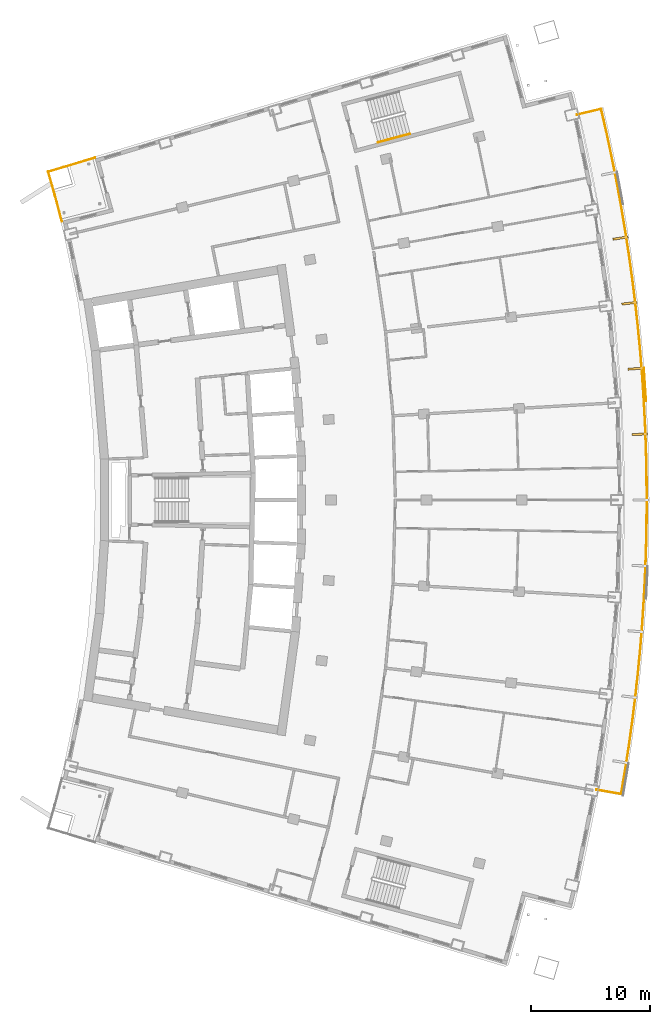
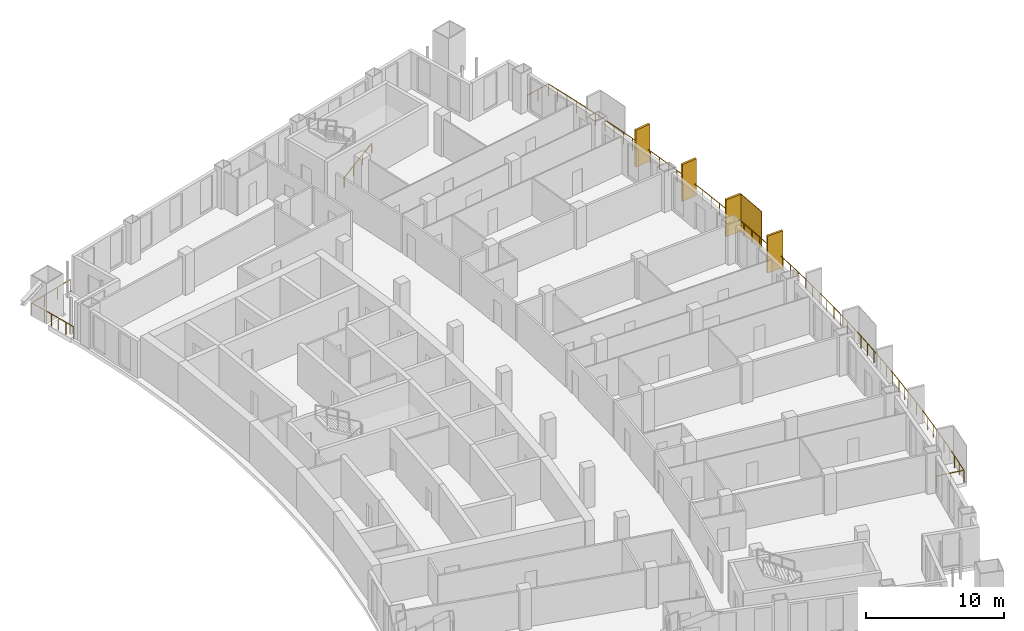
# One storey, part 19 of 20: 5 shading devices, 3 railings.
"""IFC4 building model written with IfcOpenShell, lengths in metres."""

from ifc_helpers import new_model, si_unit, direction, frame, origin, origin_2d, place, context, subcontext, project, spatial, rectangle, extrude, material, layer, layer_set, type_object, element, save


model = new_model("IFC4")

# Units and contexts
model_context = context("Model", 3, precision=1e-05, world=origin(), true_north=direction((0.0, 1.0)))
body_context = subcontext(model_context, "Body", "Model", "MODEL_VIEW")
ifc_project = project(units=[si_unit("LENGTHUNIT", "METRE"), si_unit("AREAUNIT", "SQUARE_METRE"), si_unit("VOLUMEUNIT", "CUBIC_METRE"), si_unit("PLANEANGLEUNIT", "RADIAN"), si_unit("MASSUNIT", "GRAM", prefix="KILO")], contexts=[model_context])

# Site, building, storey
site_placement = place(None, origin())
site = spatial("IfcSite", under=ifc_project, at=site_placement, CompositionType="ELEMENT")
building_placement = place(site_placement, origin())
building = spatial("IfcBuilding", under=site, at=building_placement, Name="Alderwake Tower", CompositionType="ELEMENT")
storey_placement = place(building_placement, frame((0.0, 0.0, 153.199951171875)))
storey = spatial("IfcBuildingStorey", under=building, at=storey_placement, Name="L37", CompositionType="ELEMENT", Elevation=153.199951171875)

# Railings
ifc_material_1 = material(Name="Stainless steel 316 rail and posts", Category="steel")
railing_type_1 = type_object("IfcRailingType", Name="Balcony guard 1100", PredefinedType="GUARDRAIL", material=ifc_material_1)
railing_1_placement = place(storey_placement, frame((58.07568359375, 36.68701171875, 0.0)))
element("IfcRailing", 1, at=railing_1_placement, inside=storey, type_object=railing_type_1, Name="Guard BF04", PredefinedType="GUARDRAIL", context=body_context, shape_type="SweptSolid", body=[
    extrude(rectangle(XDim=0.048095703125, YDim=0.048095703125, at=origin_2d()), frame((0.0, 0.0, 1.076171875), z_axis=(0.984864202872, -0.173327729755, 0.0), x_axis=(0.173327729755, 0.984864202872, 0.0)), (0.0, 0.0, 1.0), 2.10009765625),
    extrude(rectangle(XDim=0.048095703125, YDim=0.048095703125, at=origin_2d()), frame((2.068359375, -0.364013671875, 1.076171875), z_axis=(0.166503332241, 0.986040891826, 0.0), x_axis=(-0.986040891826, 0.166503332241, 0.0)), (0.0, 0.0, 1.0), 1.97509765625),
    extrude(rectangle(XDim=0.048095703125, YDim=0.048095703125, at=origin_2d()), frame((2.397216796875, 1.58349609375, 1.076171875), z_axis=(0.152596463053, 0.988288581065, 0.0), x_axis=(-0.988288581065, 0.152596463053, 0.0)), (0.0, 0.0, 1.0), 2.0751953125),
    extrude(rectangle(XDim=0.048095703125, YDim=0.048095703125, at=origin_2d()), frame((2.7138671875, 3.63427734375, 1.076171875), z_axis=(0.138110156817, 0.990416874141, 0.0), x_axis=(-0.990416874141, 0.138110156817, 0.0)), (0.0, 0.0, 1.0), 2.0751953125),
    extrude(rectangle(XDim=0.048095703125, YDim=0.048095703125, at=origin_2d()), frame((3.00048828125, 5.689697265625, 1.076171875), z_axis=(0.123643785087, 0.992326667186, 0.0), x_axis=(-0.992326667186, 0.123643785087, 0.0)), (0.0, 0.0, 1.0), 2.0751953125),
    extrude(rectangle(XDim=0.048095703125, YDim=0.048095703125, at=origin_2d()), frame((3.257080078125, 7.7490234375, 1.076171875), z_axis=(0.109062650224, 0.994034877822, 0.0), x_axis=(-0.994034877822, 0.109062650224, 0.0)), (0.0, 0.0, 1.0), 2.0751953125),
    extrude(rectangle(XDim=0.048095703125, YDim=0.048095703125, at=origin_2d()), frame((3.4833984375, 9.811767578125, 1.076171875), z_axis=(0.094703608838, 0.99550551303, 0.0), x_axis=(-0.99550551303, 0.094703608838, 0.0)), (0.0, 0.0, 1.0), 2.0751953125),
    extrude(rectangle(XDim=0.048095703125, YDim=0.048095703125, at=origin_2d()), frame((3.679931640625, 11.877685546875, 1.076171875), z_axis=(0.080114603316, 0.996785659174, 0.0), x_axis=(-0.996785659174, 0.080114603316, 0.0)), (0.0, 0.0, 1.0), 2.0751953125),
    extrude(rectangle(XDim=0.048095703125, YDim=0.048095703125, at=origin_2d()), frame((3.84619140625, 13.9462890625, 1.076171875), z_axis=(0.065652181711, 0.997842568262, 0.0), x_axis=(-0.997842568262, 0.065652181711, 0.0)), (0.0, 0.0, 1.0), 2.074951171875),
    extrude(rectangle(XDim=0.048095703125, YDim=0.048095703125, at=origin_2d()), frame((3.982421875, 16.016845703125, 1.076171875), z_axis=(0.050940961426, 0.998701666389, 0.0), x_axis=(-0.998701666389, 0.050940961426, 0.0)), (0.0, 0.0, 1.0), 2.0751953125),
    extrude(rectangle(XDim=0.048095703125, YDim=0.048095703125, at=origin_2d()), frame((4.088134765625, 18.08935546875, 1.076171875), z_axis=(0.03647206835, 0.999334672785, 0.0), x_axis=(-0.999334672785, 0.03647206835, 0.0)), (0.0, 0.0, 1.0), 2.0751953125),
    extrude(rectangle(XDim=0.048095703125, YDim=0.048095703125, at=origin_2d()), frame((4.163818359375, 20.1630859375, 1.076171875), z_axis=(0.021882262081, 0.999760554636, 0.0), x_axis=(-0.999760554636, 0.021882262081, 0.0)), (0.0, 0.0, 1.0), 2.0751953125),
    extrude(rectangle(XDim=0.048095703125, YDim=0.048095703125, at=origin_2d()), frame((4.209228515625, 22.23779296875, 1.076171875), z_axis=(0.007293923616, 0.999973398985, 0.0), x_axis=(-0.999973398985, 0.007293923616, 0.0)), (0.0, 0.0, 1.0), 2.0751953125),
    extrude(rectangle(XDim=0.048095703125, YDim=0.048095703125, at=origin_2d()), frame((4.224365234375, 24.31298828125, 1.076171875), z_axis=(-0.007293923616, 0.999973398985, 0.0), x_axis=(-0.999973398985, -0.007293923616, 0.0)), (0.0, 0.0, 1.0), 2.0751953125),
    extrude(rectangle(XDim=0.048095703125, YDim=0.048095703125, at=origin_2d()), frame((4.209228515625, 26.38818359375, 1.076171875), z_axis=(-0.021882262081, 0.999760554636, 0.0), x_axis=(-0.999760554636, -0.021882262081, 0.0)), (0.0, 0.0, 1.0), 2.0751953125),
    extrude(rectangle(XDim=0.048095703125, YDim=0.048095703125, at=origin_2d()), frame((4.163818359375, 28.462890625, 1.076171875), z_axis=(-0.03647206835, 0.999334672785, 0.0), x_axis=(-0.999334672785, -0.03647206835, 0.0)), (0.0, 0.0, 1.0), 2.0751953125),
    extrude(rectangle(XDim=0.048095703125, YDim=0.048095703125, at=origin_2d()), frame((4.088134765625, 30.53662109375, 1.076171875), z_axis=(-0.050940961426, 0.998701666389, 0.0), x_axis=(-0.998701666389, -0.050940961426, 0.0)), (0.0, 0.0, 1.0), 2.0751953125),
    extrude(rectangle(XDim=0.048095703125, YDim=0.048095703125, at=origin_2d()), frame((3.982421875, 32.609130859375, 1.076171875), z_axis=(-0.065652181711, 0.997842568262, 0.0), x_axis=(-0.997842568262, -0.065652181711, 0.0)), (0.0, 0.0, 1.0), 2.074951171875),
    extrude(rectangle(XDim=0.048095703125, YDim=0.048095703125, at=origin_2d()), frame((3.84619140625, 34.6796875, 1.076171875), z_axis=(-0.080114603316, 0.996785659174, 0.0), x_axis=(-0.996785659174, -0.080114603316, 0.0)), (0.0, 0.0, 1.0), 2.0751953125),
    extrude(rectangle(XDim=0.048095703125, YDim=0.048095703125, at=origin_2d()), frame((3.679931640625, 36.748291015625, 1.076171875), z_axis=(-0.094703608838, 0.99550551303, 0.0), x_axis=(-0.99550551303, -0.094703608838, 0.0)), (0.0, 0.0, 1.0), 2.0751953125),
    extrude(rectangle(XDim=0.048095703125, YDim=0.048095703125, at=origin_2d()), frame((3.4833984375, 38.814208984375, 1.076171875), z_axis=(-0.109062650224, 0.994034877822, 0.0), x_axis=(-0.994034877822, -0.109062650224, 0.0)), (0.0, 0.0, 1.0), 2.0751953125),
    extrude(rectangle(XDim=0.048095703125, YDim=0.048095703125, at=origin_2d()), frame((3.257080078125, 40.876953125, 1.076171875), z_axis=(-0.123643785087, 0.992326667186, 0.0), x_axis=(-0.992326667186, -0.123643785087, 0.0)), (0.0, 0.0, 1.0), 2.0751953125),
    extrude(rectangle(XDim=0.048095703125, YDim=0.048095703125, at=origin_2d()), frame((3.00048828125, 42.936279296875, 1.076171875), z_axis=(-0.138110156817, 0.990416874141, 0.0), x_axis=(-0.990416874141, -0.138110156817, 0.0)), (0.0, 0.0, 1.0), 2.0751953125),
    extrude(rectangle(XDim=0.048095703125, YDim=0.048095703125, at=origin_2d()), frame((2.7138671875, 44.99169921875, 1.076171875), z_axis=(-0.152596463053, 0.988288581065, 0.0), x_axis=(-0.988288581065, -0.152596463053, 0.0)), (0.0, 0.0, 1.0), 2.0751953125),
    extrude(rectangle(XDim=0.048095703125, YDim=0.048095703125, at=origin_2d()), frame((2.397216796875, 47.04248046875, 1.076171875), z_axis=(-0.166821353244, 0.985987137899, 0.0), x_axis=(-0.985987137899, -0.166821353244, 0.0)), (0.0, 0.0, 1.0), 2.0751953125),
    extrude(rectangle(XDim=0.048095703125, YDim=0.048095703125, at=origin_2d()), frame((2.051025390625, 49.088623046875, 1.076171875), z_axis=(-0.181297176514, 0.983428357222, 0.0), x_axis=(-0.983428357222, -0.181297176514, 0.0)), (0.0, 0.0, 1.0), 2.0751953125),
    extrude(rectangle(XDim=0.048095703125, YDim=0.048095703125, at=origin_2d()), frame((1.6748046875, 51.12939453125, 1.076171875), z_axis=(-0.195641013677, 0.980675580285, 0.0), x_axis=(-0.980675580285, -0.195641013677, 0.0)), (0.0, 0.0, 1.0), 2.0751953125),
    extrude(rectangle(XDim=0.048095703125, YDim=0.048095703125, at=origin_2d()), frame((1.268798828125, 53.16455078125, 1.076171875), z_axis=(-0.20987454343, 0.97772832424, 0.0), x_axis=(-0.97772832424, -0.20987454343, 0.0)), (0.0, 0.0, 1.0), 2.0751953125),
    extrude(rectangle(XDim=0.048095703125, YDim=0.048095703125, at=origin_2d()), frame((0.833251953125, 55.193603515625, 1.076171875), z_axis=(-0.22384832601, 0.974623992595, 0.0), x_axis=(-0.974623992595, -0.22384832601, 0.0)), (0.0, 0.0, 1.0), 1.97509765625),
    extrude(rectangle(XDim=0.048095703125, YDim=0.048095703125, at=origin_2d()), frame((0.39111328125, 57.11865234375, 1.076171875), z_axis=(-0.97303154832, -0.230672074545, 0.0), x_axis=(0.230672074545, -0.97303154832, 0.0)), (0.0, 0.0, 1.0), 2.099853515625),
    extrude(rectangle(XDim=0.0419921875, YDim=0.0419921875, at=origin_2d()), frame((0.0, 0.0, 0.0), z_axis=(0.0, 0.0, 1.0), x_axis=(0.984864202872, -0.173327729755, 0.0)), (0.0, 0.0, 1.0), 1.052001953125),
    extrude(rectangle(XDim=0.0419921875, YDim=0.0419921875, at=origin_2d()), frame((1.0341796875, -0.18212890625, 0.0), z_axis=(0.0, 0.0, 1.0), x_axis=(0.984864202872, -0.173327729755, 0.0)), (0.0, 0.0, 1.0), 1.052001953125),
    extrude(rectangle(XDim=0.0419921875, YDim=0.0419921875, at=origin_2d()), frame((2.068359375, -0.364013671875, 0.0), z_axis=(0.0, 0.0, 1.0), x_axis=(0.166503332241, 0.986040891826, 0.0)), (0.0, 0.0, 1.0), 1.052001953125),
    extrude(rectangle(XDim=0.0419921875, YDim=0.0419921875, at=origin_2d()), frame((2.23291015625, 0.60986328125, 0.0), z_axis=(0.0, 0.0, 1.0), x_axis=(0.166503332241, 0.986040891826, 0.0)), (0.0, 0.0, 1.0), 1.052001953125),
    extrude(rectangle(XDim=0.0419921875, YDim=0.0419921875, at=origin_2d()), frame((2.397216796875, 1.58349609375, 0.0), z_axis=(0.0, 0.0, 1.0), x_axis=(0.152596463053, 0.988288581065, 0.0)), (0.0, 0.0, 1.0), 1.052001953125),
    extrude(rectangle(XDim=0.0419921875, YDim=0.0419921875, at=origin_2d()), frame((2.5556640625, 2.60888671875, 0.0), z_axis=(0.0, 0.0, 1.0), x_axis=(0.152596463053, 0.988288581065, 0.0)), (0.0, 0.0, 1.0), 1.052001953125),
    extrude(rectangle(XDim=0.0419921875, YDim=0.0419921875, at=origin_2d()), frame((2.7138671875, 3.63427734375, 0.0), z_axis=(0.0, 0.0, 1.0), x_axis=(0.138110156817, 0.990416874141, 0.0)), (0.0, 0.0, 1.0), 1.052001953125),
    extrude(rectangle(XDim=0.0419921875, YDim=0.0419921875, at=origin_2d()), frame((2.857177734375, 4.662109375, 0.0), z_axis=(0.0, 0.0, 1.0), x_axis=(0.138110156817, 0.990416874141, 0.0)), (0.0, 0.0, 1.0), 1.052001953125),
    extrude(rectangle(XDim=0.0419921875, YDim=0.0419921875, at=origin_2d()), frame((3.00048828125, 5.689697265625, 0.0), z_axis=(0.0, 0.0, 1.0), x_axis=(0.123643785087, 0.992326667186, 0.0)), (0.0, 0.0, 1.0), 1.052001953125),
    extrude(rectangle(XDim=0.0419921875, YDim=0.0419921875, at=origin_2d()), frame((3.12890625, 6.71923828125, 0.0), z_axis=(0.0, 0.0, 1.0), x_axis=(0.123643785087, 0.992326667186, 0.0)), (0.0, 0.0, 1.0), 1.052001953125),
    extrude(rectangle(XDim=0.0419921875, YDim=0.0419921875, at=origin_2d()), frame((3.257080078125, 7.7490234375, 0.0), z_axis=(0.0, 0.0, 1.0), x_axis=(0.109062650224, 0.994034877822, 0.0)), (0.0, 0.0, 1.0), 1.052001953125),
    extrude(rectangle(XDim=0.0419921875, YDim=0.0419921875, at=origin_2d()), frame((3.3701171875, 8.7802734375, 0.0), z_axis=(0.0, 0.0, 1.0), x_axis=(0.109062650224, 0.994034877822, 0.0)), (0.0, 0.0, 1.0), 1.052001953125),
    extrude(rectangle(XDim=0.0419921875, YDim=0.0419921875, at=origin_2d()), frame((3.4833984375, 9.811767578125, 0.0), z_axis=(0.0, 0.0, 1.0), x_axis=(0.094703608838, 0.99550551303, 0.0)), (0.0, 0.0, 1.0), 1.052001953125),
    extrude(rectangle(XDim=0.0419921875, YDim=0.0419921875, at=origin_2d()), frame((3.58154296875, 10.8447265625, 0.0), z_axis=(0.0, 0.0, 1.0), x_axis=(0.094703608838, 0.99550551303, 0.0)), (0.0, 0.0, 1.0), 1.052001953125),
    extrude(rectangle(XDim=0.0419921875, YDim=0.0419921875, at=origin_2d()), frame((3.679931640625, 11.877685546875, 0.0), z_axis=(0.0, 0.0, 1.0), x_axis=(0.080114603316, 0.996785659174, 0.0)), (0.0, 0.0, 1.0), 1.052001953125),
    extrude(rectangle(XDim=0.0419921875, YDim=0.0419921875, at=origin_2d()), frame((3.76318359375, 12.912109375, 0.0), z_axis=(0.0, 0.0, 1.0), x_axis=(0.080114603316, 0.996785659174, 0.0)), (0.0, 0.0, 1.0), 1.052001953125),
    extrude(rectangle(XDim=0.0419921875, YDim=0.0419921875, at=origin_2d()), frame((3.84619140625, 13.9462890625, 0.0), z_axis=(0.0, 0.0, 1.0), x_axis=(0.065652181711, 0.997842568262, 0.0)), (0.0, 0.0, 1.0), 1.052001953125),
    extrude(rectangle(XDim=0.0419921875, YDim=0.0419921875, at=origin_2d()), frame((3.914306640625, 14.9814453125, 0.0), z_axis=(0.0, 0.0, 1.0), x_axis=(0.065652181711, 0.997842568262, 0.0)), (0.0, 0.0, 1.0), 1.052001953125),
    extrude(rectangle(XDim=0.0419921875, YDim=0.0419921875, at=origin_2d()), frame((3.982421875, 16.016845703125, 0.0), z_axis=(0.0, 0.0, 1.0), x_axis=(0.050940961426, 0.998701666389, 0.0)), (0.0, 0.0, 1.0), 1.052001953125),
    extrude(rectangle(XDim=0.0419921875, YDim=0.0419921875, at=origin_2d()), frame((4.03515625, 17.05322265625, 0.0), z_axis=(0.0, 0.0, 1.0), x_axis=(0.050940961426, 0.998701666389, 0.0)), (0.0, 0.0, 1.0), 1.052001953125),
    extrude(rectangle(XDim=0.0419921875, YDim=0.0419921875, at=origin_2d()), frame((4.088134765625, 18.08935546875, 0.0), z_axis=(0.0, 0.0, 1.0), x_axis=(0.03647206835, 0.999334672785, 0.0)), (0.0, 0.0, 1.0), 1.052001953125),
    extrude(rectangle(XDim=0.0419921875, YDim=0.0419921875, at=origin_2d()), frame((4.1259765625, 19.126220703125, 0.0), z_axis=(0.0, 0.0, 1.0), x_axis=(0.03647206835, 0.999334672785, 0.0)), (0.0, 0.0, 1.0), 1.052001953125),
    extrude(rectangle(XDim=0.0419921875, YDim=0.0419921875, at=origin_2d()), frame((4.163818359375, 20.1630859375, 0.0), z_axis=(0.0, 0.0, 1.0), x_axis=(0.021882262081, 0.999760554636, 0.0)), (0.0, 0.0, 1.0), 1.052001953125),
    extrude(rectangle(XDim=0.0419921875, YDim=0.0419921875, at=origin_2d()), frame((4.1865234375, 21.200439453125, 0.0), z_axis=(0.0, 0.0, 1.0), x_axis=(0.021882262081, 0.999760554636, 0.0)), (0.0, 0.0, 1.0), 1.052001953125),
    extrude(rectangle(XDim=0.0419921875, YDim=0.0419921875, at=origin_2d()), frame((4.209228515625, 22.23779296875, 0.0), z_axis=(0.0, 0.0, 1.0), x_axis=(0.007293923616, 0.999973398985, 0.0)), (0.0, 0.0, 1.0), 1.052001953125),
    extrude(rectangle(XDim=0.0419921875, YDim=0.0419921875, at=origin_2d()), frame((4.216796875, 23.275390625, 0.0), z_axis=(0.0, 0.0, 1.0), x_axis=(0.007293923616, 0.999973398985, 0.0)), (0.0, 0.0, 1.0), 1.052001953125),
    extrude(rectangle(XDim=0.0419921875, YDim=0.0419921875, at=origin_2d()), frame((4.224365234375, 24.31298828125, 0.0), z_axis=(0.0, 0.0, 1.0), x_axis=(-0.007293923616, 0.999973398985, 0.0)), (0.0, 0.0, 1.0), 1.052001953125),
    extrude(rectangle(XDim=0.0419921875, YDim=0.0419921875, at=origin_2d()), frame((4.216796875, 25.3505859375, 0.0), z_axis=(0.0, 0.0, 1.0), x_axis=(-0.007293923616, 0.999973398985, 0.0)), (0.0, 0.0, 1.0), 1.052001953125),
    extrude(rectangle(XDim=0.0419921875, YDim=0.0419921875, at=origin_2d()), frame((4.209228515625, 26.38818359375, 0.0), z_axis=(0.0, 0.0, 1.0), x_axis=(-0.021882262081, 0.999760554636, 0.0)), (0.0, 0.0, 1.0), 1.052001953125),
    extrude(rectangle(XDim=0.0419921875, YDim=0.0419921875, at=origin_2d()), frame((4.1865234375, 27.425537109375, 0.0), z_axis=(0.0, 0.0, 1.0), x_axis=(-0.021882262081, 0.999760554636, 0.0)), (0.0, 0.0, 1.0), 1.052001953125),
    extrude(rectangle(XDim=0.0419921875, YDim=0.0419921875, at=origin_2d()), frame((4.163818359375, 28.462890625, 0.0), z_axis=(0.0, 0.0, 1.0), x_axis=(-0.03647206835, 0.999334672785, 0.0)), (0.0, 0.0, 1.0), 1.052001953125),
    extrude(rectangle(XDim=0.0419921875, YDim=0.0419921875, at=origin_2d()), frame((4.1259765625, 29.499755859375, 0.0), z_axis=(0.0, 0.0, 1.0), x_axis=(-0.03647206835, 0.999334672785, 0.0)), (0.0, 0.0, 1.0), 1.052001953125),
    extrude(rectangle(XDim=0.0419921875, YDim=0.0419921875, at=origin_2d()), frame((4.088134765625, 30.53662109375, 0.0), z_axis=(0.0, 0.0, 1.0), x_axis=(-0.050940961426, 0.998701666389, 0.0)), (0.0, 0.0, 1.0), 1.052001953125),
    extrude(rectangle(XDim=0.0419921875, YDim=0.0419921875, at=origin_2d()), frame((4.03515625, 31.57275390625, 0.0), z_axis=(0.0, 0.0, 1.0), x_axis=(-0.050940961426, 0.998701666389, 0.0)), (0.0, 0.0, 1.0), 1.052001953125),
    extrude(rectangle(XDim=0.0419921875, YDim=0.0419921875, at=origin_2d()), frame((3.982421875, 32.609130859375, 0.0), z_axis=(0.0, 0.0, 1.0), x_axis=(-0.065652181711, 0.997842568262, 0.0)), (0.0, 0.0, 1.0), 1.052001953125),
    extrude(rectangle(XDim=0.0419921875, YDim=0.0419921875, at=origin_2d()), frame((3.914306640625, 33.64453125, 0.0), z_axis=(0.0, 0.0, 1.0), x_axis=(-0.065652181711, 0.997842568262, 0.0)), (0.0, 0.0, 1.0), 1.052001953125),
    extrude(rectangle(XDim=0.0419921875, YDim=0.0419921875, at=origin_2d()), frame((3.84619140625, 34.6796875, 0.0), z_axis=(0.0, 0.0, 1.0), x_axis=(-0.080114603316, 0.996785659174, 0.0)), (0.0, 0.0, 1.0), 1.052001953125),
    extrude(rectangle(XDim=0.0419921875, YDim=0.0419921875, at=origin_2d()), frame((3.76318359375, 35.7138671875, 0.0), z_axis=(0.0, 0.0, 1.0), x_axis=(-0.080114603316, 0.996785659174, 0.0)), (0.0, 0.0, 1.0), 1.052001953125),
    extrude(rectangle(XDim=0.0419921875, YDim=0.0419921875, at=origin_2d()), frame((3.679931640625, 36.748291015625, 0.0), z_axis=(0.0, 0.0, 1.0), x_axis=(-0.094703608838, 0.99550551303, 0.0)), (0.0, 0.0, 1.0), 1.052001953125),
    extrude(rectangle(XDim=0.0419921875, YDim=0.0419921875, at=origin_2d()), frame((3.58154296875, 37.78125, 0.0), z_axis=(0.0, 0.0, 1.0), x_axis=(-0.094703608838, 0.99550551303, 0.0)), (0.0, 0.0, 1.0), 1.052001953125),
    extrude(rectangle(XDim=0.0419921875, YDim=0.0419921875, at=origin_2d()), frame((3.4833984375, 38.814208984375, 0.0), z_axis=(0.0, 0.0, 1.0), x_axis=(-0.109062650224, 0.994034877822, 0.0)), (0.0, 0.0, 1.0), 1.052001953125),
    extrude(rectangle(XDim=0.0419921875, YDim=0.0419921875, at=origin_2d()), frame((3.3701171875, 39.845703125, 0.0), z_axis=(0.0, 0.0, 1.0), x_axis=(-0.109062650224, 0.994034877822, 0.0)), (0.0, 0.0, 1.0), 1.052001953125),
    extrude(rectangle(XDim=0.0419921875, YDim=0.0419921875, at=origin_2d()), frame((3.257080078125, 40.876953125, 0.0), z_axis=(0.0, 0.0, 1.0), x_axis=(-0.123643785087, 0.992326667186, 0.0)), (0.0, 0.0, 1.0), 1.052001953125),
    extrude(rectangle(XDim=0.0419921875, YDim=0.0419921875, at=origin_2d()), frame((3.12890625, 41.90673828125, 0.0), z_axis=(0.0, 0.0, 1.0), x_axis=(-0.123643785087, 0.992326667186, 0.0)), (0.0, 0.0, 1.0), 1.052001953125),
    extrude(rectangle(XDim=0.0419921875, YDim=0.0419921875, at=origin_2d()), frame((3.00048828125, 42.936279296875, 0.0), z_axis=(0.0, 0.0, 1.0), x_axis=(-0.138110156817, 0.990416874141, 0.0)), (0.0, 0.0, 1.0), 1.052001953125),
    extrude(rectangle(XDim=0.0419921875, YDim=0.0419921875, at=origin_2d()), frame((2.857177734375, 43.9638671875, 0.0), z_axis=(0.0, 0.0, 1.0), x_axis=(-0.138110156817, 0.990416874141, 0.0)), (0.0, 0.0, 1.0), 1.052001953125),
    extrude(rectangle(XDim=0.0419921875, YDim=0.0419921875, at=origin_2d()), frame((2.7138671875, 44.99169921875, 0.0), z_axis=(0.0, 0.0, 1.0), x_axis=(-0.152596463053, 0.988288581065, 0.0)), (0.0, 0.0, 1.0), 1.052001953125),
    extrude(rectangle(XDim=0.0419921875, YDim=0.0419921875, at=origin_2d()), frame((2.5556640625, 46.01708984375, 0.0), z_axis=(0.0, 0.0, 1.0), x_axis=(-0.152596463053, 0.988288581065, 0.0)), (0.0, 0.0, 1.0), 1.052001953125),
    extrude(rectangle(XDim=0.0419921875, YDim=0.0419921875, at=origin_2d()), frame((2.397216796875, 47.04248046875, 0.0), z_axis=(0.0, 0.0, 1.0), x_axis=(-0.166821353244, 0.985987137899, 0.0)), (0.0, 0.0, 1.0), 1.052001953125),
    extrude(rectangle(XDim=0.0419921875, YDim=0.0419921875, at=origin_2d()), frame((2.22412109375, 48.0654296875, 0.0), z_axis=(0.0, 0.0, 1.0), x_axis=(-0.166821353244, 0.985987137899, 0.0)), (0.0, 0.0, 1.0), 1.052001953125),
    extrude(rectangle(XDim=0.0419921875, YDim=0.0419921875, at=origin_2d()), frame((2.051025390625, 49.088623046875, 0.0), z_axis=(0.0, 0.0, 1.0), x_axis=(-0.181297176514, 0.983428357222, 0.0)), (0.0, 0.0, 1.0), 1.052001953125),
    extrude(rectangle(XDim=0.0419921875, YDim=0.0419921875, at=origin_2d()), frame((1.86279296875, 50.10888671875, 0.0), z_axis=(0.0, 0.0, 1.0), x_axis=(-0.181297176514, 0.983428357222, 0.0)), (0.0, 0.0, 1.0), 1.052001953125),
    extrude(rectangle(XDim=0.0419921875, YDim=0.0419921875, at=origin_2d()), frame((1.6748046875, 51.12939453125, 0.0), z_axis=(0.0, 0.0, 1.0), x_axis=(-0.195641013677, 0.980675580285, 0.0)), (0.0, 0.0, 1.0), 1.052001953125),
    extrude(rectangle(XDim=0.0419921875, YDim=0.0419921875, at=origin_2d()), frame((1.4716796875, 52.14697265625, 0.0), z_axis=(0.0, 0.0, 1.0), x_axis=(-0.195641013677, 0.980675580285, 0.0)), (0.0, 0.0, 1.0), 1.052001953125),
    extrude(rectangle(XDim=0.0419921875, YDim=0.0419921875, at=origin_2d()), frame((1.268798828125, 53.16455078125, 0.0), z_axis=(0.0, 0.0, 1.0), x_axis=(-0.20987454343, 0.97772832424, 0.0)), (0.0, 0.0, 1.0), 1.052001953125),
    extrude(rectangle(XDim=0.0419921875, YDim=0.0419921875, at=origin_2d()), frame((1.051025390625, 54.17919921875, 0.0), z_axis=(0.0, 0.0, 1.0), x_axis=(-0.20987454343, 0.97772832424, 0.0)), (0.0, 0.0, 1.0), 1.052001953125),
    extrude(rectangle(XDim=0.0419921875, YDim=0.0419921875, at=origin_2d()), frame((0.833251953125, 55.193603515625, 0.0), z_axis=(0.0, 0.0, 1.0), x_axis=(-0.22384832601, 0.974623992595, 0.0)), (0.0, 0.0, 1.0), 1.052001953125),
    extrude(rectangle(XDim=0.0419921875, YDim=0.0419921875, at=origin_2d()), frame((0.6123046875, 56.15625, 0.0), z_axis=(0.0, 0.0, 1.0), x_axis=(-0.22384832601, 0.974623992595, 0.0)), (0.0, 0.0, 1.0), 1.052001953125),
    extrude(rectangle(XDim=0.0419921875, YDim=0.0419921875, at=origin_2d()), frame((0.39111328125, 57.11865234375, 0.0), z_axis=(0.0, 0.0, 1.0), x_axis=(-0.97303154832, -0.230672074545, 0.0)), (0.0, 0.0, 1.0), 1.052001953125),
    extrude(rectangle(XDim=0.0419921875, YDim=0.0419921875, at=origin_2d()), frame((-0.63037109375, 56.87646484375, 0.0), z_axis=(0.0, 0.0, 1.0), x_axis=(-0.97303154832, -0.230672074545, 0.0)), (0.0, 0.0, 1.0), 1.052001953125),
    extrude(rectangle(XDim=0.0419921875, YDim=0.0419921875, at=origin_2d()), frame((-1.652099609375, 56.63427734375, 0.0), z_axis=(0.0, 0.0, 1.0), x_axis=(-0.97303154832, -0.230672074545, 0.0)), (0.0, 0.0, 1.0), 1.052001953125),
])
railing_2_placement = place(storey_placement, frame((13.210693359375, 84.387451171875, 0.0)))
element("IfcRailing", 2, at=railing_2_placement, inside=storey, type_object=railing_type_1, Name="Guard terrace RN", PredefinedType="GUARDRAIL", context=body_context, shape_type="SweptSolid", body=[
    extrude(rectangle(XDim=0.048095703125, YDim=0.048095703125, at=origin_2d()), frame((0.0, 0.0, 1.076171875), z_axis=(-0.251385381433, 0.967887075026, 0.0), x_axis=(-0.967887075026, -0.251385381433, 0.0)), (0.0, 0.0, 1.0), 1.6015625),
    extrude(rectangle(XDim=0.048095703125, YDim=0.048095703125, at=origin_2d()), frame((-0.402587890625, 1.550048828125, 1.076171875), z_axis=(-0.266520638672, 0.963829211615, 0.0), x_axis=(-0.963829211615, -0.266520638672, 0.0)), (0.0, 0.0, 1.0), 1.401611328125),
    extrude(rectangle(XDim=0.048095703125, YDim=0.048095703125, at=origin_2d()), frame((-0.776123046875, 2.90087890625, 1.076171875), z_axis=(-0.280093650878, 0.959972680204, 0.0), x_axis=(-0.959972680204, -0.280093650878, 0.0)), (0.0, 0.0, 1.0), 1.30126953125),
    extrude(rectangle(XDim=0.048095703125, YDim=0.048095703125, at=origin_2d()), frame((-1.140625, 4.150146484375, 1.076171875), z_axis=(0.958066871889, 0.286544706789, 0.0), x_axis=(-0.286544706789, 0.958066871889, 0.0)), (0.0, 0.0, 1.0), 4.099853515625),
    extrude(rectangle(XDim=0.0419921875, YDim=0.0419921875, at=origin_2d()), frame((0.0, 0.0, 0.0), z_axis=(0.0, 0.0, 1.0), x_axis=(-0.251385381433, 0.967887075026, 0.0)), (0.0, 0.0, 1.0), 1.052001953125),
    extrude(rectangle(XDim=0.0419921875, YDim=0.0419921875, at=origin_2d()), frame((-0.201171875, 0.77490234375, 0.0), z_axis=(0.0, 0.0, 1.0), x_axis=(-0.251385381433, 0.967887075026, 0.0)), (0.0, 0.0, 1.0), 1.052001953125),
    extrude(rectangle(XDim=0.0419921875, YDim=0.0419921875, at=origin_2d()), frame((-0.402587890625, 1.550048828125, 0.0), z_axis=(0.0, 0.0, 1.0), x_axis=(-0.266520638672, 0.963829211615, 0.0)), (0.0, 0.0, 1.0), 1.052001953125),
    extrude(rectangle(XDim=0.0419921875, YDim=0.0419921875, at=origin_2d()), frame((-0.58935546875, 2.2255859375, 0.0), z_axis=(0.0, 0.0, 1.0), x_axis=(-0.266520638672, 0.963829211615, 0.0)), (0.0, 0.0, 1.0), 1.052001953125),
    extrude(rectangle(XDim=0.0419921875, YDim=0.0419921875, at=origin_2d()), frame((-0.776123046875, 2.90087890625, 0.0), z_axis=(0.0, 0.0, 1.0), x_axis=(-0.280093650878, 0.959972680204, 0.0)), (0.0, 0.0, 1.0), 1.052001953125),
    extrude(rectangle(XDim=0.0419921875, YDim=0.0419921875, at=origin_2d()), frame((-1.140625, 4.150146484375, 0.0), z_axis=(0.0, 0.0, 1.0), x_axis=(0.958066871889, 0.286544706789, 0.0)), (0.0, 0.0, 1.0), 1.052001953125),
    extrude(rectangle(XDim=0.0419921875, YDim=0.0419921875, at=origin_2d()), frame((0.168701171875, 4.541748046875, 0.0), z_axis=(0.0, 0.0, 1.0), x_axis=(0.958066871889, 0.286544706789, 0.0)), (0.0, 0.0, 1.0), 1.052001953125),
    extrude(rectangle(XDim=0.0419921875, YDim=0.0419921875, at=origin_2d()), frame((1.47802734375, 4.933349609375, 0.0), z_axis=(0.0, 0.0, 1.0), x_axis=(0.958066871889, 0.286544706789, 0.0)), (0.0, 0.0, 1.0), 1.052001953125),
    extrude(rectangle(XDim=0.0419921875, YDim=0.0419921875, at=origin_2d()), frame((2.787353515625, 5.324951171875, 0.0), z_axis=(0.0, 0.0, 1.0), x_axis=(0.958066871889, 0.286544706789, 0.0)), (0.0, 0.0, 1.0), 1.052001953125),
])

# Shading devices
ifc_material_2 = material(Name="Bronze anodised aluminium", Category="aluminium")
ifc_layer_1 = layer(ifc_material_2, 0.179931640625)
ifc_layer_set_1 = layer_set([ifc_layer_1], Name="Facade fin 1300")
shading_device_type_1 = type_object("IfcShadingDeviceType", Name="Facade fin 1300", PredefinedType="USERDEFINED", material=ifc_layer_set_1)
for number, where, z_axis, x_axis, name in (
    (3, (61.692626953125, 66.5146484375, 0.0), (0.0, 0.0, 1.0), (0.999243494356, 0.038890088543, 0.0), "Fin"),
    (4, (61.37109375, 72.02099609375, 0.0), (0.0, 0.0, 1.0), (0.996975122026, 0.077721335943, 0.0), "Fin"),
    (5, (60.83544921875, 77.510498046875, 0.0), (0.0, 0.0, 1.0), (0.993198315083, 0.116434990084, 0.0), "Fin"),
    (6, (60.0869140625, 82.97509765625, 0.0), (0.0, 0.0, 1.0), (0.987918787879, 0.154972476771, 0.0), "Fin"),
):
    element("IfcShadingDevice", number, at=place(storey_placement, frame(where, z_axis=z_axis, x_axis=x_axis)), inside=storey, type_object=shading_device_type_1, Name=name, ObjectType="FIN", PredefinedType="USERDEFINED", context=body_context, shape_type="SweptSolid", body=[
        extrude(rectangle(XDim=1.300048828125, YDim=0.179931640625, at=origin_2d()), origin(), (0.0, 0.0, 1.0), 3.280029296875),
    ])
ifc_material_3 = material(Name="Perforated bronze anodised aluminium", Category="aluminium")
ifc_layer_2 = layer(ifc_material_3, 0.050048828125)
ifc_layer_set_2 = layer_set([ifc_layer_2], Name="Perforated screen panel")
shading_device_type_2 = type_object("IfcShadingDeviceType", Name="Perforated screen panel", PredefinedType="USERDEFINED", material=ifc_layer_set_2)
shading_device_placement = place(storey_placement, frame((62.138427734375, 70.6875, 0.0), z_axis=(0.0, 0.0, 1.0), x_axis=(0.997685465774, 0.067997877779, 0.0)))
element("IfcShadingDevice", 7, at=shading_device_placement, inside=storey, type_object=shading_device_type_2, Name="Screen panel", ObjectType="SCREEN", PredefinedType="USERDEFINED", context=body_context, shape_type="SweptSolid", body=[
    extrude(rectangle(XDim=0.050048828125, YDim=2.7783203125, at=origin_2d()), origin(), (0.0, 0.0, 1.0), 3.280029296875),
])

# Railing
ifc_material_4 = material(Name="Stainless steel handrail", Category="steel")
railing_type_2 = type_object("IfcRailingType", Name="Stair handrail 900", PredefinedType="HANDRAIL", material=ifc_material_4)
railing_3_placement = place(storey_placement, frame((39.731689453125, 91.002685546875, 0.16357421875)))
element("IfcRailing", 8, at=railing_3_placement, inside=storey, type_object=railing_type_2, Name="L37 ST-A stair handrail 1", PredefinedType="HANDRAIL", context=body_context, shape_type="SweptSolid", body=[
    extrude(rectangle(XDim=0.048095703125, YDim=0.048095703125, at=origin_2d()), frame((0.0, 0.0, 0.8759765625), z_axis=(0.834258940753, 0.22222815314, 0.504605457487), x_axis=(-0.257402139082, 0.966304371715, 0.0)), (0.0, 0.0, 1.0), 3.2431640625),
    extrude(rectangle(XDim=0.0419921875, YDim=0.0419921875, at=origin_2d()), frame((0.0, 0.0, 0.0), z_axis=(0.0, 0.0, 1.0), x_axis=(0.966304371715, 0.257402139082, 0.0)), (0.0, 0.0, 1.0), 0.851806640625),
    extrude(rectangle(XDim=0.0419921875, YDim=0.0419921875, at=origin_2d()), frame((0.90185546875, 0.240234375, 0.54541015625), z_axis=(0.0, 0.0, 1.0), x_axis=(0.966304371715, 0.257402139082, 0.0)), (0.0, 0.0, 1.0), 0.851806640625),
    extrude(rectangle(XDim=0.0419921875, YDim=0.0419921875, at=origin_2d()), frame((1.8037109375, 0.48046875, 1.091064453125), z_axis=(0.0, 0.0, 1.0), x_axis=(0.966304371715, 0.257402139082, 0.0)), (0.0, 0.0, 1.0), 0.851806640625),
    extrude(rectangle(XDim=0.0419921875, YDim=0.0419921875, at=origin_2d()), frame((2.70556640625, 0.720703125, 1.636474609375), z_axis=(0.0, 0.0, 1.0), x_axis=(0.966304371715, 0.257402139082, 0.0)), (0.0, 0.0, 1.0), 0.851806640625),
])

save(model, "model.ifc")
